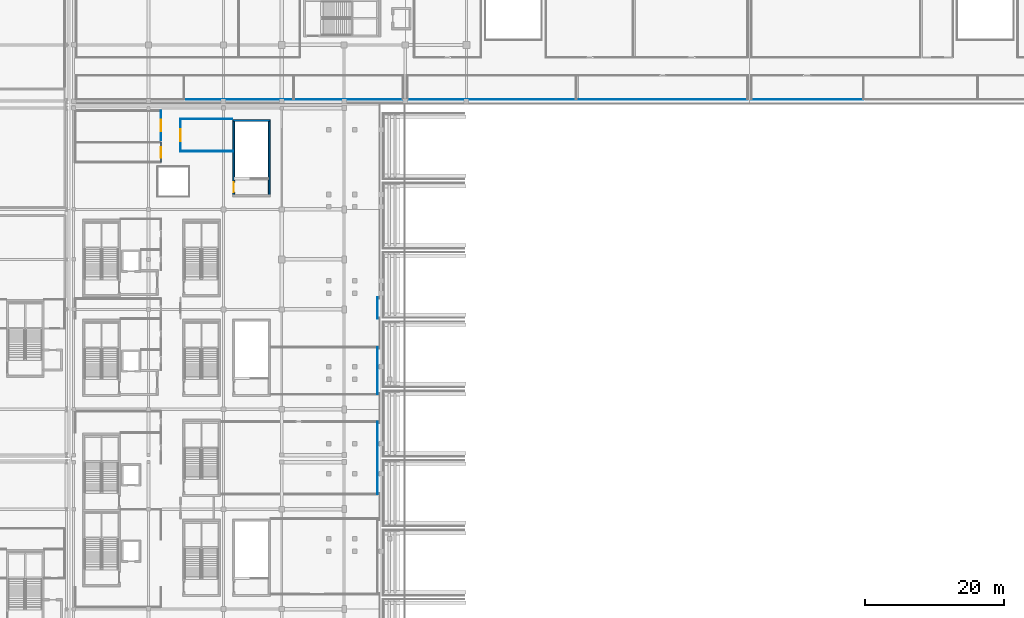
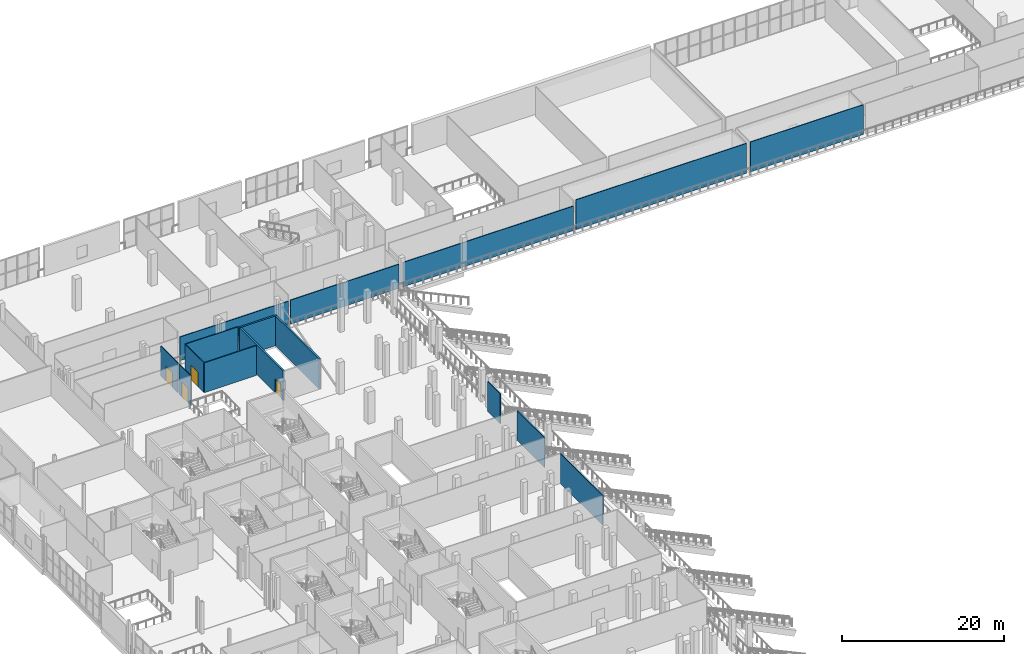
# One storey, part 77 of 129: 16 walls, 4 doors, 4 openings.
"""IFC4 building model written with IfcOpenShell, lengths in metres."""

from ifc_helpers import new_model, si_unit, direction, frame, frame_2d, origin, place, context, subcontext, project, spatial, rectangle, extrude, material, layer, layer_set, type_object, element, fill, save


model = new_model("IFC4")

# Units and contexts
model_context = context("Model", 3, precision=1e-05, world=origin(), true_north=direction((0.0, 1.0)))
body_context = subcontext(model_context, "Body", "Model", "MODEL_VIEW")
ifc_project = project(units=[si_unit("LENGTHUNIT", "METRE"), si_unit("AREAUNIT", "SQUARE_METRE"), si_unit("VOLUMEUNIT", "CUBIC_METRE"), si_unit("PLANEANGLEUNIT", "RADIAN"), si_unit("MASSUNIT", "GRAM", prefix="KILO")], contexts=[model_context])

# Site, building, storey
site_placement = place(None, origin())
site = spatial("IfcSite", under=ifc_project, at=site_placement, CompositionType="ELEMENT")
building_placement = place(site_placement, origin())
building = spatial("IfcBuilding", under=site, at=building_placement, Name="Koshinbarg Plaza Stadium", CompositionType="ELEMENT")
storey_placement = place(building_placement, frame((0.0, 0.0, 5.39990234375)))
storey = spatial("IfcBuildingStorey", under=building, at=storey_placement, Name="L01", CompositionType="ELEMENT", Elevation=5.39990234375)

# Wall
ifc_material_1 = material(Name="Concrete C40/50", Category="concrete")
ifc_layer_1 = layer(ifc_material_1, 0.25)
ifc_layer_set_1 = layer_set([ifc_layer_1], Name="Concrete C40/50")
wall_type_1 = type_object("IfcWallType", Name="WL-CORE-250", PredefinedType="SHEAR", material=ifc_layer_set_1)
wall_1_placement = place(storey_placement, frame((52.919921875, 124.72509765625, 0.0), z_axis=(0.0, 0.0, 1.0), x_axis=(-1.0, 0.0, 0.0)))
element("IfcWall", 1, at=wall_1_placement, inside=storey, type_object=wall_type_1, Name="L01 vomitory stair shear wall VL04-far IWL-L01-0575", PredefinedType="SHEAR", context=body_context, shape_type="SweptSolid", body=[
    extrude(rectangle(XDim=5.369873046875, YDim=0.25, at=frame_2d((2.68505859375, 0.0))), origin(), (0.0, 0.0, 1.0), 4.5),
])

# Wall, opening, door
wall_2_placement = place(storey_placement, frame((47.675048828125, 113.875, 0.0), z_axis=(0.0, 0.0, 1.0), x_axis=(0.0, 1.0, 0.0)))
wall_2 = element("IfcWall", 2, at=wall_2_placement, inside=storey, type_object=wall_type_1, Name="L01 vomitory stair shear wall VL04-left IWL-L01-0576", PredefinedType="SHEAR", context=body_context, shape_type="SweptSolid", body=[
    extrude(rectangle(XDim=10.85009765625, YDim=0.25, at=frame_2d((5.425048828125, 0.0))), origin(), (0.0, 0.0, 1.0), 4.5),
])
opening_1_placement = place(wall_2_placement, frame((0.52001953125, 0.0, 0.0)))
opening_1 = element("IfcOpeningElement", 3, at=opening_1_placement, cuts=wall_2, Name="Opening D-0206", PredefinedType="OPENING", context=body_context, shape_type="SweptSolid", body=[
    extrude(rectangle(XDim=1.39990234375, YDim=2.14990234375, at=frame_2d((0.699951171875, 1.074951171875))), frame((0.0, 0.135009765625, 0.0), z_axis=(0.0, -1.0, 0.0), x_axis=(1.0, 0.0, 0.0)), (0.0, 0.0, 1.0), 0.27001953125),
])
ifc_material_2 = material(Name="Painted galvanized steel fire door", Category="steel")
door_type_1 = type_object("IfcDoorType", Name="DR-STAIR-1400", OperationType="NOTDEFINED", PredefinedType="DOOR", material=ifc_material_2)
door_1_placement = place(opening_1_placement, frame((1.39990234375, 0.0, 0.0), z_axis=(0.0, 0.0, 1.0), x_axis=(-1.0, 0.0, 0.0)))
door_1 = element("IfcDoor", 4, at=door_1_placement, inside=storey, type_object=door_type_1, Name="L01 vomitory exit stair door VL04", OperationType="SINGLE_SWING_RIGHT", OverallHeight=2.14990234375, OverallWidth=1.39990234375, PredefinedType="DOOR", context=body_context, shape_type="SweptSolid", body=[
    extrude(rectangle(XDim=1.39990234375, YDim=2.14990234375, at=frame_2d((0.699951171875, 1.074951171875))), frame((0.0, 0.02490234375, 0.0), z_axis=(0.0, -1.0, 0.0), x_axis=(1.0, 0.0, 0.0)), (0.0, 0.0, 1.0), 0.050048828125),
])
fill(opening_1, door_1)

# Walls
wall_3_placement = place(storey_placement, frame((52.794921875, 113.875, 0.0), z_axis=(0.0, 0.0, 1.0), x_axis=(0.0, 1.0, 0.0)))
element("IfcWall", 5, at=wall_3_placement, inside=storey, type_object=wall_type_1, Name="L01 vomitory stair shear wall VL04-right IWL-L01-0577", PredefinedType="SHEAR", context=body_context, shape_type="SweptSolid", body=[
    extrude(rectangle(XDim=10.85009765625, YDim=0.25, at=frame_2d((5.425048828125, 0.0))), origin(), (0.0, 0.0, 1.0), 4.5),
])
ifc_material_3 = material(Name="Gypsum board metal-stud acoustic partition")
ifc_layer_2 = layer(ifc_material_3, 0.1201171875)
ifc_layer_set_2 = layer_set([ifc_layer_2], Name="Gypsum board metal-stud acoustic partition")
wall_type_2 = type_object("IfcWallType", Name="WL-PART-120", PredefinedType="PARTITIONING", material=ifc_layer_set_2)
wall_4_placement = place(storey_placement, frame((68.39990234375, 70.84912109375, 0.0), z_axis=(0.0, 0.0, 1.0), x_axis=(0.0, 1.0, 0.0)))
element("IfcWall", 6, at=wall_4_placement, inside=storey, type_object=wall_type_2, Name="L01 interior partition L01-87-east IWL-L01-1372", PredefinedType="PARTITIONING", context=body_context, shape_type="SweptSolid", body=[
    extrude(rectangle(XDim=10.470947265625, YDim=0.1201171875, at=frame_2d((5.2353515625, 0.0))), origin(), (0.0, 0.0, 1.0), 4.5),
])
wall_5_placement = place(storey_placement, frame((68.39990234375, 85.22998046875, 0.0), z_axis=(0.0, 0.0, 1.0), x_axis=(0.0, 1.0, 0.0)))
element("IfcWall", 7, at=wall_5_placement, inside=storey, type_object=wall_type_2, Name="L01 interior partition L01-93-east IWL-L01-1386", PredefinedType="PARTITIONING", context=body_context, shape_type="SweptSolid", body=[
    extrude(rectangle(XDim=6.793701171875, YDim=0.1201171875, at=frame_2d((3.39697265625, 0.0))), origin(), (0.0, 0.0, 1.0), 4.5),
])
wall_6_placement = place(storey_placement, frame((68.39990234375, 96.1298828125, 0.0), z_axis=(0.0, 0.0, 1.0), x_axis=(0.0, 1.0, 0.0)))
element("IfcWall", 8, at=wall_6_placement, inside=storey, type_object=wall_type_2, Name="L01 interior partition L01-94-east IWL-L01-1388", PredefinedType="PARTITIONING", context=body_context, shape_type="SweptSolid", body=[
    extrude(rectangle(XDim=3.14013671875, YDim=0.1201171875, at=frame_2d((1.570068359375, 0.0))), origin(), (0.0, 0.0, 1.0), 4.5),
])

# Wall, opening, door
wall_7_placement = place(storey_placement, frame((37.199951171875, 118.679931640625, 0.0), z_axis=(0.0, 0.0, 1.0), x_axis=(0.0, 1.0, 0.0)))
wall_7 = element("IfcWall", 9, at=wall_7_placement, inside=storey, type_object=wall_type_2, Name="L01 interior partition L01-95-east IWL-L01-1391", PredefinedType="PARTITIONING", context=body_context, shape_type="SweptSolid", body=[
    extrude(rectangle(XDim=2.869873046875, YDim=0.1201171875, at=frame_2d((1.43505859375, 0.0))), origin(), (0.0, 0.0, 1.0), 4.5),
])
opening_2_placement = place(wall_7_placement, frame((0.659912109375, 0.0, 0.0)))
opening_2 = element("IfcOpeningElement", 10, at=opening_2_placement, cuts=wall_7, Name="Opening D-0461", PredefinedType="OPENING", context=body_context, shape_type="SweptSolid", body=[
    extrude(rectangle(XDim=1.550048828125, YDim=2.199951171875, at=frame_2d((0.77490234375, 1.10009765625))), frame((0.0, 0.070068359375, 0.0), z_axis=(0.0, -1.0, 0.0), x_axis=(1.0, 0.0, 0.0)), (0.0, 0.0, 1.0), 0.14013671875),
])
ifc_material_4 = material(Name="Toughened laminated glass in aluminium frame", Category="aluminium")
door_type_2 = type_object("IfcDoorType", Name="DR-INT-1550x2200", OperationType="NOTDEFINED", PredefinedType="DOOR", material=ifc_material_4)
door_2_placement = place(opening_2_placement, origin())
door_2 = element("IfcDoor", 11, at=door_2_placement, inside=storey, type_object=door_type_2, Name="L01 West Concourse Dining Hall door D-0461", OperationType="DOUBLE_DOOR_SINGLE_SWING", OverallHeight=2.199951171875, OverallWidth=1.550048828125, PredefinedType="DOOR", context=body_context, shape_type="SweptSolid", body=[
    extrude(rectangle(XDim=1.550048828125, YDim=2.199951171875, at=frame_2d((0.77490234375, 1.10009765625))), frame((0.0, 0.02490234375, 0.0), z_axis=(0.0, -1.0, 0.0), x_axis=(1.0, 0.0, 0.0)), (0.0, 0.0, 1.0), 0.050048828125),
])
fill(opening_2, door_2)

wall_8_placement = place(storey_placement, frame((37.199951171875, 121.849853515625, 0.0), z_axis=(0.0, 0.0, 1.0), x_axis=(0.0, 1.0, 0.0)))
wall_8 = element("IfcWall", 12, at=wall_8_placement, inside=storey, type_object=wall_type_2, Name="L01 interior partition L01-96-east IWL-L01-1394", PredefinedType="PARTITIONING", context=body_context, shape_type="SweptSolid", body=[
    extrude(rectangle(XDim=4.255126953125, YDim=0.1201171875, at=frame_2d((2.12744140625, 0.0))), origin(), (0.0, 0.0, 1.0), 4.5),
])
opening_3_placement = place(wall_8_placement, frame((1.28759765625, 0.0, 0.0)))
opening_3 = element("IfcOpeningElement", 13, at=opening_3_placement, cuts=wall_8, Name="Opening D-0462", PredefinedType="OPENING", context=body_context, shape_type="SweptSolid", body=[
    extrude(rectangle(XDim=1.679931640625, YDim=2.25, at=frame_2d((0.83984375, 1.125))), frame((0.0, 0.070068359375, 0.0), z_axis=(0.0, -1.0, 0.0), x_axis=(1.0, 0.0, 0.0)), (0.0, 0.0, 1.0), 0.14013671875),
])
ifc_material_5 = material(Name="Powder-coated aluminium double glazed door", Category="aluminium")
door_type_3 = type_object("IfcDoorType", Name="DR-INT-1680x2250", OperationType="NOTDEFINED", PredefinedType="DOOR", material=ifc_material_5)
door_3_placement = place(opening_3_placement, origin())
door_3 = element("IfcDoor", 14, at=door_3_placement, inside=storey, type_object=door_type_3, Name="L01 First Aid Station door D-0462", OperationType="DOUBLE_DOOR_SINGLE_SWING", OverallHeight=2.25, OverallWidth=1.679931640625, PredefinedType="DOOR", context=body_context, shape_type="SweptSolid", body=[
    extrude(rectangle(XDim=1.679931640625, YDim=2.25, at=frame_2d((0.83984375, 1.125))), frame((0.0, 0.02490234375, 0.0), z_axis=(0.0, -1.0, 0.0), x_axis=(1.0, 0.0, 0.0)), (0.0, 0.0, 1.0), 0.050048828125),
])
fill(opening_3, door_3)

# Walls
for number, where, z_axis, x_axis, name in (
    (15, (40.0, 120.283935546875, 0.0), (0.0, 0.0, 1.0), (1.0, 0.0, 0.0), "L01 interior partition L01-97-south IWL-L01-1397"),
    (16, (47.469970703125, 124.929931640625, 0.0), (0.0, 0.0, 1.0), (-1.0, 0.0, 0.0), "L01 interior partition L01-97-north IWL-L01-1398"),
):
    element("IfcWall", number, at=place(storey_placement, frame(where, z_axis=z_axis, x_axis=x_axis)), inside=storey, type_object=wall_type_2, Name=name, PredefinedType="PARTITIONING", context=body_context, shape_type="SweptSolid", body=[
        extrude(rectangle(XDim=7.469970703125, YDim=0.1201171875, at=frame_2d((3.73486328125, 0.0))), origin(), (0.0, 0.0, 1.0), 4.5),
    ])

# Wall, opening, door
wall_9_placement = place(storey_placement, frame((40.0, 124.929931640625, 0.0), z_axis=(0.0, 0.0, 1.0), x_axis=(0.0, -1.0, 0.0)))
wall_9 = element("IfcWall", 17, at=wall_9_placement, inside=storey, type_object=wall_type_2, Name="L01 interior partition L01-97-west IWL-L01-1399", PredefinedType="PARTITIONING", context=body_context, shape_type="SweptSolid", body=[
    extrude(rectangle(XDim=4.64599609375, YDim=0.1201171875, at=frame_2d((2.322998046875, 0.0))), origin(), (0.0, 0.0, 1.0), 4.5),
])
opening_4_placement = place(wall_9_placement, frame((1.443115234375, 0.0, 0.0)))
opening_4 = element("IfcOpeningElement", 18, at=opening_4_placement, cuts=wall_9, Name="Opening D-0463", PredefinedType="OPENING", context=body_context, shape_type="SweptSolid", body=[
    extrude(rectangle(XDim=1.760009765625, YDim=2.25, at=frame_2d((0.8798828125, 1.125))), frame((0.0, 0.070068359375, 0.0), z_axis=(0.0, -1.0, 0.0), x_axis=(1.0, 0.0, 0.0)), (0.0, 0.0, 1.0), 0.14013671875),
])
ifc_material_6 = material(Name="Solid-core oak veneer double swing door")
door_type_4 = type_object("IfcDoorType", Name="DR-INT-1760x2250", OperationType="NOTDEFINED", PredefinedType="DOOR", material=ifc_material_6)
door_4_placement = place(opening_4_placement, origin())
door_4 = element("IfcDoor", 19, at=door_4_placement, inside=storey, type_object=door_type_4, Name="L01 First Aid Station door D-0463", OperationType="DOUBLE_DOOR_SINGLE_SWING", OverallHeight=2.25, OverallWidth=1.760009765625, PredefinedType="DOOR", context=body_context, shape_type="SweptSolid", body=[
    extrude(rectangle(XDim=1.760009765625, YDim=2.25, at=frame_2d((0.8798828125, 1.125))), frame((0.0, 0.02490234375, 0.0), z_axis=(0.0, -1.0, 0.0), x_axis=(1.0, 0.0, 0.0)), (0.0, 0.0, 1.0), 0.050048828125),
])
fill(opening_4, door_4)

# Walls
wall_10_placement = place(storey_placement, frame((40.806640625, 127.7451171875, 0.0), z_axis=(0.0, 0.0, 1.0), x_axis=(1.0, 0.0, 0.0)))
element("IfcWall", 20, at=wall_10_placement, inside=storey, type_object=wall_type_2, Name="L01 interior partition L01-116-south IWL-L01-1447", PredefinedType="PARTITIONING", context=body_context, shape_type="SweptSolid", body=[
    extrude(rectangle(XDim=15.51171875, YDim=0.1201171875, at=frame_2d((7.755859375, 0.0))), origin(), (0.0, 0.0, 1.0), 3.580078125),
])
wall_11_placement = place(storey_placement, frame((56.618408203125, 127.7451171875, 0.0), z_axis=(0.0, 0.0, 1.0), x_axis=(1.0, 0.0, 0.0)))
element("IfcWall", 21, at=wall_11_placement, inside=storey, type_object=wall_type_2, Name="L01 interior partition L01-117-south IWL-L01-1450", PredefinedType="PARTITIONING", context=body_context, shape_type="SweptSolid", body=[
    extrude(rectangle(XDim=15.511474609375, YDim=0.1201171875, at=frame_2d((7.755859375, 0.0))), origin(), (0.0, 0.0, 1.0), 3.630126953125),
])
wall_12_placement = place(storey_placement, frame((72.669921875, 127.7451171875, 0.0), z_axis=(0.0, 0.0, 1.0), x_axis=(1.0, 0.0, 0.0)))
element("IfcWall", 22, at=wall_12_placement, inside=storey, type_object=wall_type_2, Name="L01 interior partition L01-120-south IWL-L01-1458", PredefinedType="PARTITIONING", context=body_context, shape_type="SweptSolid", body=[
    extrude(rectangle(XDim=24.380126953125, YDim=0.1201171875, at=frame_2d((12.18994140625, 0.0))), origin(), (0.0, 0.0, 1.0), 3.68017578125),
])
wall_13_placement = place(storey_placement, frame((97.35009765625, 127.7451171875, 0.0), z_axis=(0.0, 0.0, 1.0), x_axis=(1.0, 0.0, 0.0)))
element("IfcWall", 23, at=wall_13_placement, inside=storey, type_object=wall_type_2, Name="L01 interior partition L01-121-south IWL-L01-1462", PredefinedType="PARTITIONING", context=body_context, shape_type="SweptSolid", body=[
    extrude(rectangle(XDim=24.3798828125, YDim=0.1201171875, at=frame_2d((12.18994140625, 0.0))), origin(), (0.0, 0.0, 1.0), 4.5),
])
wall_14_placement = place(storey_placement, frame((122.27001953125, 127.7451171875, 0.0), z_axis=(0.0, 0.0, 1.0), x_axis=(1.0, 0.0, 0.0)))
element("IfcWall", 24, at=wall_14_placement, inside=storey, type_object=wall_type_2, Name="L01 interior partition L01-125-south IWL-L01-1473", PredefinedType="PARTITIONING", context=body_context, shape_type="SweptSolid", body=[
    extrude(rectangle(XDim=16.1533203125, YDim=0.1201171875, at=frame_2d((8.07666015625, 0.0))), origin(), (0.0, 0.0, 1.0), 4.5),
])

save(model, "model.ifc")
